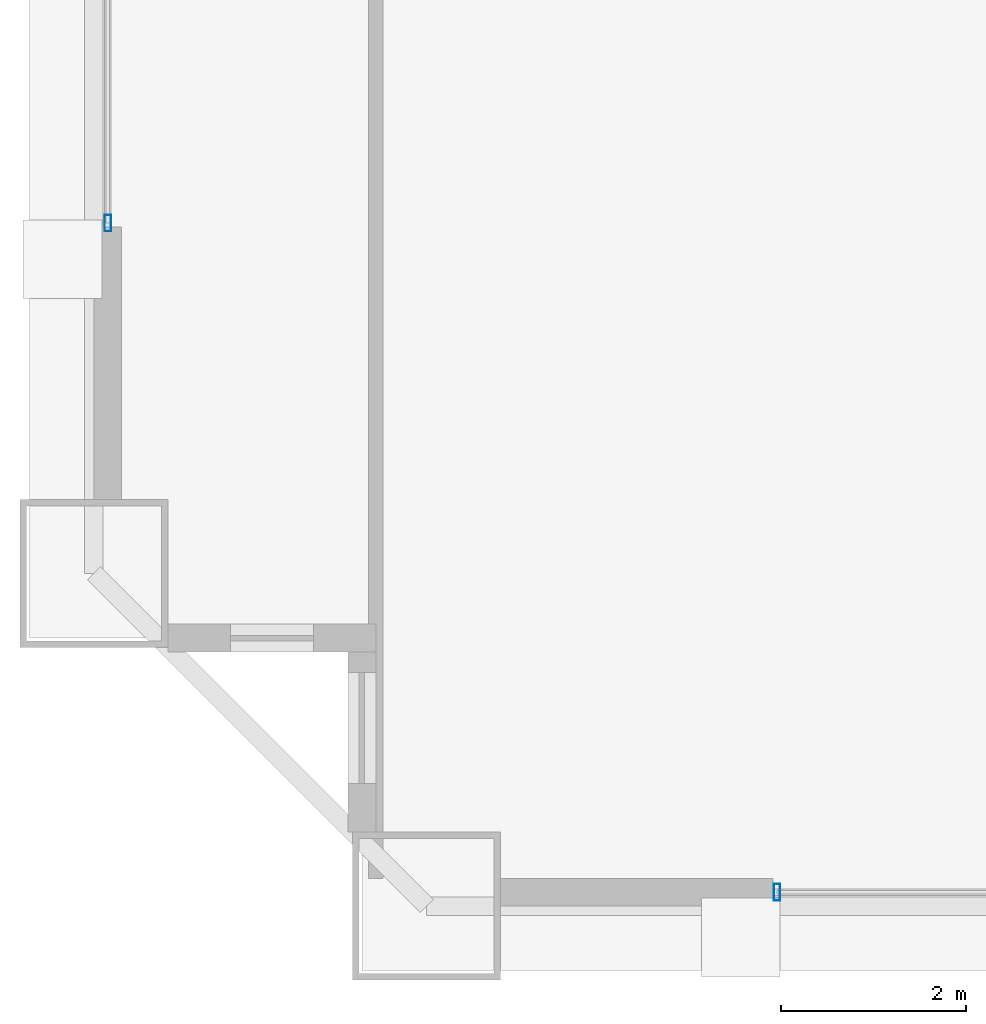
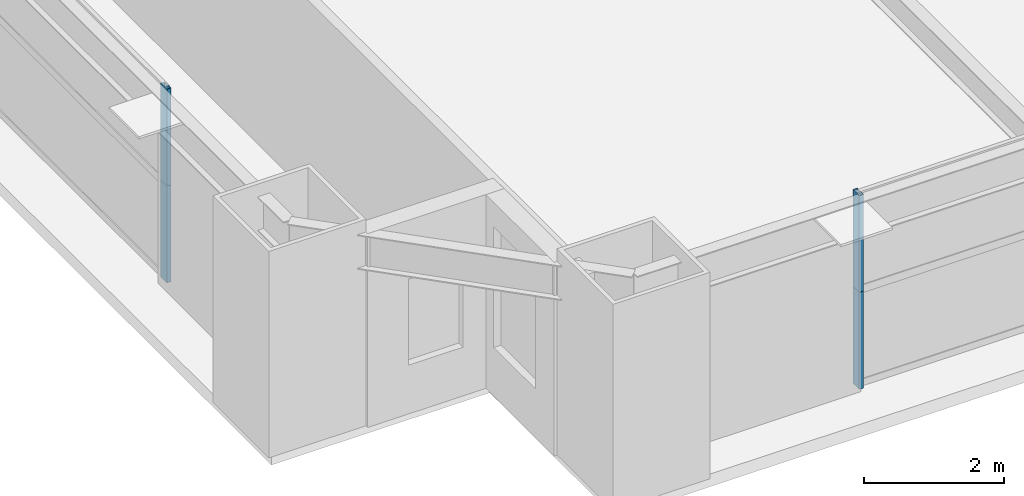
# One storey, part 3 of 37: 4 members, 2 elements without a shape of their own.
"""IFC4 building model written with IfcOpenShell, lengths in metres."""

from ifc_helpers import new_model, si_unit, direction, frame, origin, origin_2d, place, context, subcontext, project, spatial, hollow_rectangle, extrude, source, transform, mapped, material, layer, layer_set, material_profile, profile_set, type_object, element, aggregate, save


model = new_model("IFC4")

# Units and contexts
model_context = context("Model", 3, precision=1e-05, world=origin(), true_north=direction((0.0, 1.0)))
body_context = subcontext(model_context, "Body", "Model", "MODEL_VIEW")
ifc_project = project(units=[si_unit("LENGTHUNIT", "METRE"), si_unit("AREAUNIT", "SQUARE_METRE"), si_unit("VOLUMEUNIT", "CUBIC_METRE"), si_unit("PLANEANGLEUNIT", "RADIAN"), si_unit("MASSUNIT", "GRAM", prefix="KILO"), si_unit("THERMODYNAMICTEMPERATUREUNIT", "KELVIN"), si_unit("POWERUNIT", "WATT")], contexts=[model_context])

# Site, building, storey
site_placement = place(None, origin())
site = spatial("IfcSite", under=ifc_project, at=site_placement, CompositionType="ELEMENT")
building_placement = place(site_placement, origin())
building = spatial("IfcBuilding", under=site, at=building_placement, Name="Yuzanri Waterfront Tower", CompositionType="ELEMENT")
storey_placement = place(building_placement, frame((0.0, 0.0, 104.60009765625)))
storey = spatial("IfcBuildingStorey", under=building, at=storey_placement, Name="L27", CompositionType="ELEMENT", Elevation=104.60009765625)

# Curtain wall, members
ifc_material_1 = material(Name="Anodized Architectural Bronze", Category="metal")
ifc_layer = layer(ifc_material_1, 0.159912109375)
ifc_layer_set = layer_set([ifc_layer], Name="Anodized Architectural Bronze")
curtain_wall_type = type_object("IfcCurtainWallType", Name="Anodized Bronze Hotel Upper-Tier Solar-Control Unitized Curtain Wall 7800", PredefinedType="NOTDEFINED", material=ifc_layer_set)
curtain_wall_1_placement = place(storey_placement, origin())
curtain_wall_1 = element("IfcCurtainWall", 1, at=curtain_wall_1_placement, inside=storey, type_object=curtain_wall_type, Name="L27 Curtain Wall CW-L27-SL", PredefinedType="NOTDEFINED")
ifc_material_2 = material(Name="Anodized Architectural Bronze", Category="metal")
ifc_material_profile = material_profile(ifc_material_2, hollow_rectangle(XDim=0.070068359375, YDim=0.179931640625, WallThickness=0.00390625, at=origin_2d()), Name="CWM 70x180")
ifc_profile_set = profile_set([ifc_material_profile], Name="Anodized Architectural Bronze")
member_type = type_object("IfcMemberType", Name="Anodized Bronze Standard Curtain-Wall Mullion 70x180", PredefinedType="MULLION", material=ifc_profile_set)
shared_shape = source(origin(), body_context, "Body", "SweptSolid", [
    extrude(hollow_rectangle(XDim=0.070068359375, YDim=0.179931640625, WallThickness=0.00390625, at=origin_2d()), origin(), (0.0, 0.0, 1.0), 1.68798828125),
])
member_1_placement = place(storey_placement, frame((20.7900390625, 2.35009765625, 0.0), z_axis=(0.0, 0.0, 1.0), x_axis=(1.0, 0.0, 0.0)))
member_1 = element("IfcMember", 2, at=member_1_placement, type_object=member_type, Name="CW-L27-SL Lower Mullion 00", PredefinedType="MULLION", context=body_context, shape_type="MappedRepresentation", body=[
    mapped(shared_shape, transform((0.0, 0.0, 0.0), scale=1.0)),
])
member_2_placement = place(storey_placement, frame((20.7900390625, 2.35009765625, 1.69189453125), z_axis=(0.0, 0.0, 1.0), x_axis=(1.0, 0.0, 0.0)))
member_2 = element("IfcMember", 3, at=member_2_placement, type_object=member_type, Name="CW-L27-SL Upper Mullion 00", PredefinedType="MULLION", context=body_context, shape_type="MappedRepresentation", body=[
    mapped(shared_shape, transform((0.0, 0.0, 0.0), scale=1.0)),
])
aggregate(curtain_wall_1, [member_1, member_2])

curtain_wall_2_placement = place(storey_placement, origin())
curtain_wall_2 = element("IfcCurtainWall", 4, at=curtain_wall_2_placement, inside=storey, type_object=curtain_wall_type, Name="L27 Curtain Wall CW-L27-WL", PredefinedType="NOTDEFINED")
member_3_placement = place(storey_placement, frame((13.550048828125, 9.590087890625, 0.0), z_axis=(0.0, 0.0, 1.0), x_axis=(1.0, 0.0, 0.0)))
member_3 = element("IfcMember", 5, at=member_3_placement, type_object=member_type, Name="CW-L27-WL Lower Mullion 00", PredefinedType="MULLION", context=body_context, shape_type="MappedRepresentation", body=[
    mapped(shared_shape, transform((0.0, 0.0, 0.0), scale=1.0)),
])
member_4_placement = place(storey_placement, frame((13.550048828125, 9.590087890625, 1.69189453125), z_axis=(0.0, 0.0, 1.0), x_axis=(1.0, 0.0, 0.0)))
member_4 = element("IfcMember", 6, at=member_4_placement, type_object=member_type, Name="CW-L27-WL Upper Mullion 00", PredefinedType="MULLION", context=body_context, shape_type="MappedRepresentation", body=[
    mapped(shared_shape, transform((0.0, 0.0, 0.0), scale=1.0)),
])
aggregate(curtain_wall_2, [member_3, member_4])

save(model, "model.ifc")
